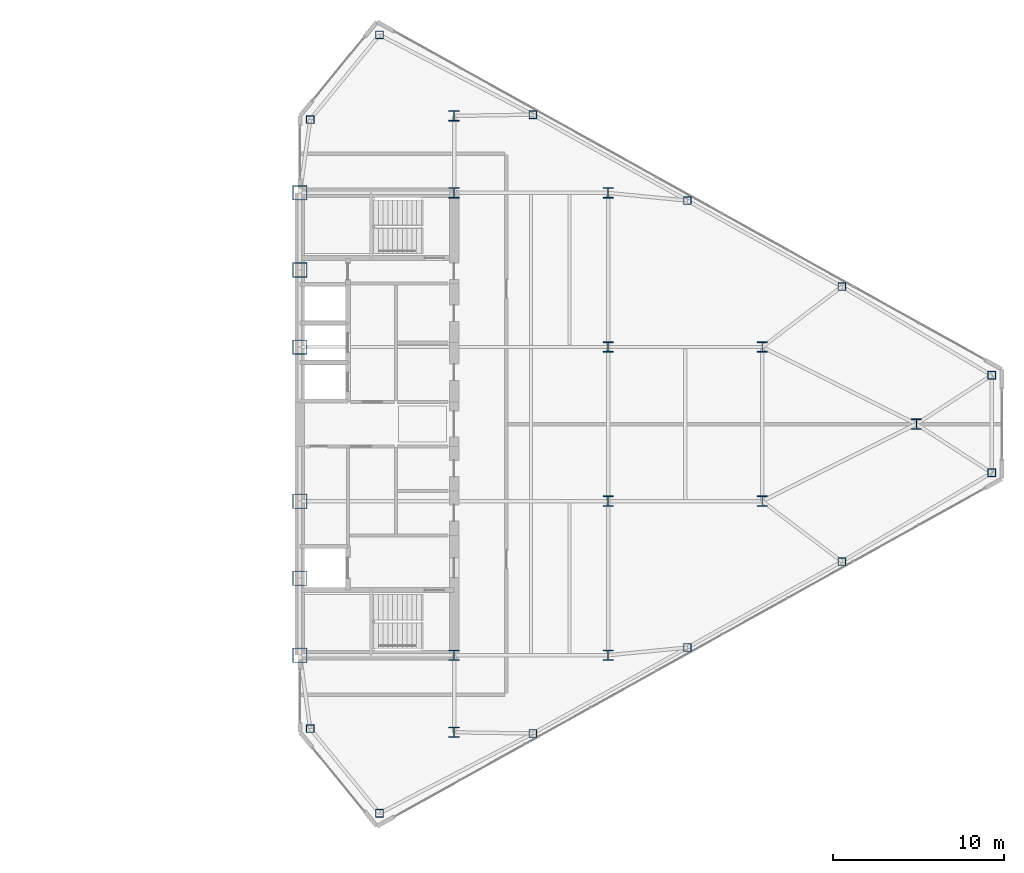
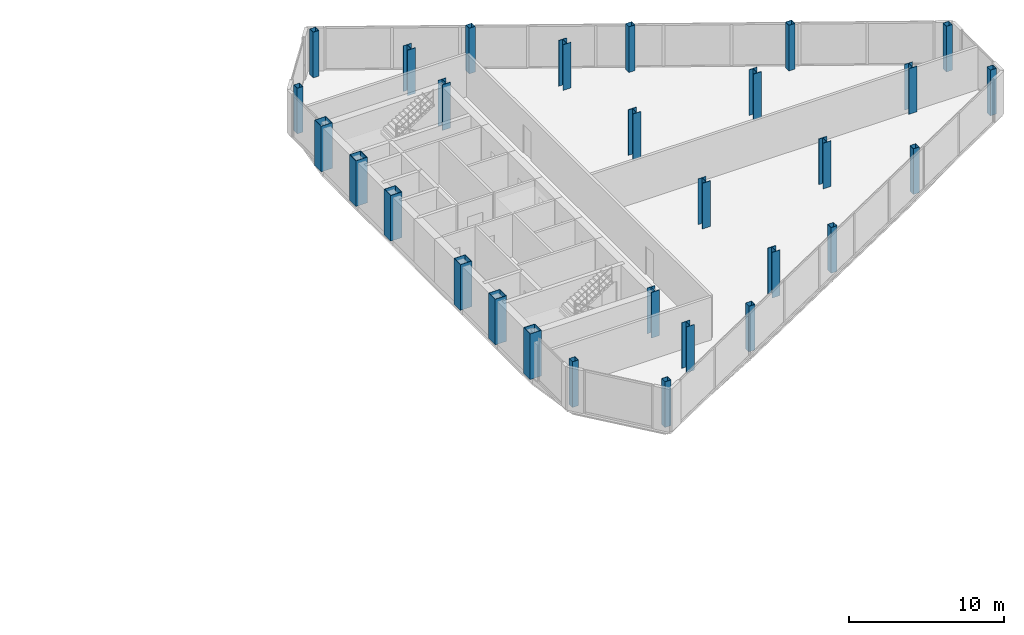
# One storey, part 2 of 26: 29 columns.
"""IFC4 building model written with IfcOpenShell, lengths in metres."""

from ifc_helpers import new_model, si_unit, direction, frame, origin, origin_2d, place, context, subcontext, project, spatial, hollow_rectangle, i_section, extrude, source, transform, mapped, material, material_profile, profile_set, type_object, type_shapes, element, save


model = new_model("IFC4")

# Units and contexts
model_context = context("Model", 3, precision=1e-05, world=origin(), true_north=direction((0.0, 1.0)))
body_context = subcontext(model_context, "Body", "Model", "MODEL_VIEW")
ifc_project = project(units=[si_unit("LENGTHUNIT", "METRE"), si_unit("AREAUNIT", "SQUARE_METRE"), si_unit("VOLUMEUNIT", "CUBIC_METRE"), si_unit("PLANEANGLEUNIT", "RADIAN"), si_unit("MASSUNIT", "GRAM", prefix="KILO")], contexts=[model_context])

# Site, building, storey
site_placement = place(None, origin())
site = spatial("IfcSite", under=ifc_project, at=site_placement, CompositionType="ELEMENT")
building_placement = place(site_placement, origin())
building = spatial("IfcBuilding", under=site, at=building_placement, Name="Seokmaru Belvedere", CompositionType="ELEMENT")
storey_placement = place(building_placement, frame((0.0, 0.0, 177.89990234375)))
storey = spatial("IfcBuildingStorey", under=building, at=storey_placement, Name="L47", CompositionType="ELEMENT", Elevation=177.89990234375)

# Columns
ifc_material_1 = material(Name="Steel SM355 (355 MPa)", Category="steel")
ifc_material_profile_1 = material_profile(ifc_material_1, hollow_rectangle(XDim=0.449951171875, YDim=0.449951171875, WallThickness=0.01806640625, at=origin_2d()), Name="HSS-450x450x18")
ifc_profile_set_1 = profile_set([ifc_material_profile_1], Name="Steel SM355 (355 MPa)")
column_type_1 = type_object("IfcColumnType", Name="Perimeter Facet Column HSS-450", PredefinedType="COLUMN", material=ifc_profile_set_1)
shared_shape_1 = source(origin(), body_context, "Body", "SweptSolid", [
    extrude(hollow_rectangle(XDim=0.449951171875, YDim=0.449951171875, WallThickness=0.01806640625, at=origin_2d()), origin(), (0.0, 0.0, 1.0), 3.60009765625),
])
type_shapes(column_type_1, [shared_shape_1])
for number, where, z_axis, x_axis, name in (
    (1, (32.146728515625, -22.731689453125, 0.0), (0.0, 0.0, 1.0), (1.0, 0.0, 0.0), "L47 Column EF1"),
    (2, (67.89990234375, -2.84716796875, 0.0), (0.0, 0.0, 1.0), (1.0, 0.0, 0.0), "L47 Column EF2"),
    (3, (67.89990234375, 2.84716796875, 0.0), (0.0, 0.0, 1.0), (1.0, 0.0, 0.0), "L47 Column EF3"),
    (4, (32.146728515625, 22.731689453125, 0.0), (0.0, 0.0, 1.0), (1.0, 0.0, 0.0), "L47 Column EF4"),
    (5, (28.10009765625, 17.785888671875, 0.0), (0.0, 0.0, 1.0), (1.0, 0.0, 0.0), "L47 Column EF5"),
    (6, (28.10009765625, -17.785888671875, 0.0), (0.0, 0.0, 1.0), (1.0, 0.0, 0.0), "L47 Column EF6"),
    (7, (41.103759765625, -18.07080078125, 0.0), (0.0, 0.0, 1.0), (1.0, 0.0, 0.0), "L47 Column EFLK_S1"),
    (8, (50.129150390625, -13.051025390625, 0.0), (0.0, 0.0, 1.0), (1.0, 0.0, 0.0), "L47 Column EFLK_S2"),
    (9, (59.154541015625, -8.031494140625, 0.0), (0.0, 0.0, 1.0), (1.0, 0.0, 0.0), "L47 Column EFLK_S3"),
    (10, (41.103759765625, 18.07080078125, 0.0), (0.0, 0.0, 1.0), (1.0, 0.0, 0.0), "L47 Column EFLK_N1"),
    (11, (50.129150390625, 13.051025390625, 0.0), (0.0, 0.0, 1.0), (1.0, 0.0, 0.0), "L47 Column EFLK_N2"),
    (12, (59.154541015625, 8.031494140625, 0.0), (0.0, 0.0, 1.0), (1.0, 0.0, 0.0), "L47 Column EFLK_N3"),
):
    element("IfcColumn", number, at=place(storey_placement, frame(where, z_axis=z_axis, x_axis=x_axis)), inside=storey, type_object=column_type_1, Name=name, PredefinedType="COLUMN", context=body_context, shape_type="MappedRepresentation", body=[
        mapped(shared_shape_1, transform((0.0, 0.0, 0.0), scale=1.0)),
    ])
ifc_material_2 = material(Name="Steel HSA650 (650 MPa)", Category="steel")
ifc_material_profile_2 = material_profile(ifc_material_2, hollow_rectangle(XDim=0.85009765625, YDim=0.85009765625, WallThickness=0.035888671875, at=origin_2d()), Name="BOX-850x850x36")
ifc_profile_set_2 = profile_set([ifc_material_profile_2], Name="Steel HSA650 (650 MPa)")
column_type_2 = type_object("IfcColumnType", Name="Portal Spine Column BOX-850", PredefinedType="COLUMN", material=ifc_profile_set_2)
shared_shape_2 = source(origin(), body_context, "Body", "SweptSolid", [
    extrude(hollow_rectangle(XDim=0.85009765625, YDim=0.85009765625, WallThickness=0.035888671875, at=origin_2d()), origin(), (0.0, 0.0, 1.0), 3.60009765625),
])
type_shapes(column_type_2, [shared_shape_2])
for number, where, z_axis, x_axis, name in (
    (13, (27.5, -13.5, 0.0), (0.0, 0.0, 1.0), (1.0, 0.0, 0.0), "L47 Column ES1"),
    (14, (27.5, -9.0, 0.0), (0.0, 0.0, 1.0), (1.0, 0.0, 0.0), "L47 Column ES2"),
    (15, (27.5, -4.5, 0.0), (0.0, 0.0, 1.0), (1.0, 0.0, 0.0), "L47 Column ES3"),
    (16, (27.5, 4.5, 0.0), (0.0, 0.0, 1.0), (1.0, 0.0, 0.0), "L47 Column ES4"),
    (17, (27.5, 9.0, 0.0), (0.0, 0.0, 1.0), (1.0, 0.0, 0.0), "L47 Column ES5"),
    (18, (27.5, 13.5, 0.0), (0.0, 0.0, 1.0), (1.0, 0.0, 0.0), "L47 Column ES6"),
):
    element("IfcColumn", number, at=place(storey_placement, frame(where, z_axis=z_axis, x_axis=x_axis)), inside=storey, type_object=column_type_2, Name=name, PredefinedType="COLUMN", context=body_context, shape_type="MappedRepresentation", body=[
        mapped(shared_shape_2, transform((0.0, 0.0, 0.0), scale=1.0)),
    ])
ifc_material_profile_3 = material_profile(ifc_material_1, i_section(OverallWidth=0.60009765625, OverallDepth=0.60009765625, WebThickness=0.02490234375, FlangeThickness=0.0400390625, at=origin_2d()), Name="H-600x600x25x40")
ifc_profile_set_3 = profile_set([ifc_material_profile_3], Name="Steel SM355 (355 MPa)")
column_type_3 = type_object("IfcColumnType", Name="Upper-Mid Interior Column H-600", PredefinedType="COLUMN", material=ifc_profile_set_3)
shared_shape_3 = source(origin(), body_context, "Body", "SweptSolid", [
    extrude(i_section(OverallWidth=0.60009765625, OverallDepth=0.60009765625, WebThickness=0.02490234375, FlangeThickness=0.0400390625, at=origin_2d()), origin(), (0.0, 0.0, 1.0), 3.60009765625),
])
type_shapes(column_type_3, [shared_shape_3])
for number, where, z_axis, x_axis, name in (
    (19, (36.5, -18.0, 0.0), (0.0, 0.0, 1.0), (1.0, 0.0, 0.0), "L47 Column EC1"),
    (20, (36.5, -13.5, 0.0), (0.0, 0.0, 1.0), (1.0, 0.0, 0.0), "L47 Column EC2"),
    (21, (36.5, 13.5, 0.0), (0.0, 0.0, 1.0), (1.0, 0.0, 0.0), "L47 Column EC3"),
    (22, (36.5, 18.0, 0.0), (0.0, 0.0, 1.0), (1.0, 0.0, 0.0), "L47 Column EC4"),
    (23, (45.5, -13.5, 0.0), (0.0, 0.0, 1.0), (1.0, 0.0, 0.0), "L47 Column EG5_1"),
    (24, (45.5, -4.5, 0.0), (0.0, 0.0, 1.0), (1.0, 0.0, 0.0), "L47 Column EG5_2"),
    (25, (45.5, 4.5, 0.0), (0.0, 0.0, 1.0), (1.0, 0.0, 0.0), "L47 Column EG5_3"),
    (26, (45.5, 13.5, 0.0), (0.0, 0.0, 1.0), (1.0, 0.0, 0.0), "L47 Column EG5_4"),
    (27, (54.5, -4.5, 0.0), (0.0, 0.0, 1.0), (1.0, 0.0, 0.0), "L47 Column EG4P_1"),
    (28, (54.5, 4.5, 0.0), (0.0, 0.0, 1.0), (1.0, 0.0, 0.0), "L47 Column EG4P_2"),
    (29, (63.5, 0.0, 0.0), (0.0, 0.0, 1.0), (1.0, 0.0, 0.0), "L47 Column EG3P_1"),
):
    element("IfcColumn", number, at=place(storey_placement, frame(where, z_axis=z_axis, x_axis=x_axis)), inside=storey, type_object=column_type_3, Name=name, PredefinedType="COLUMN", context=body_context, shape_type="MappedRepresentation", body=[
        mapped(shared_shape_3, transform((0.0, 0.0, 0.0), scale=1.0)),
    ])

save(model, "model.ifc")
